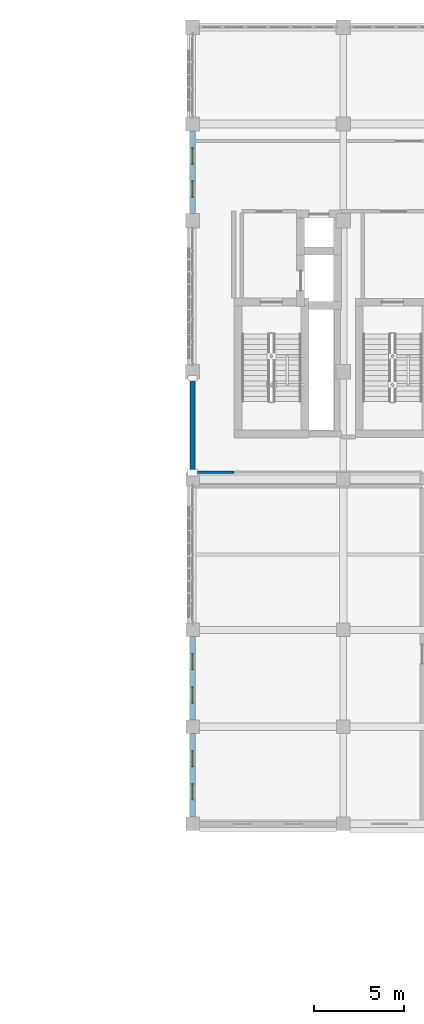
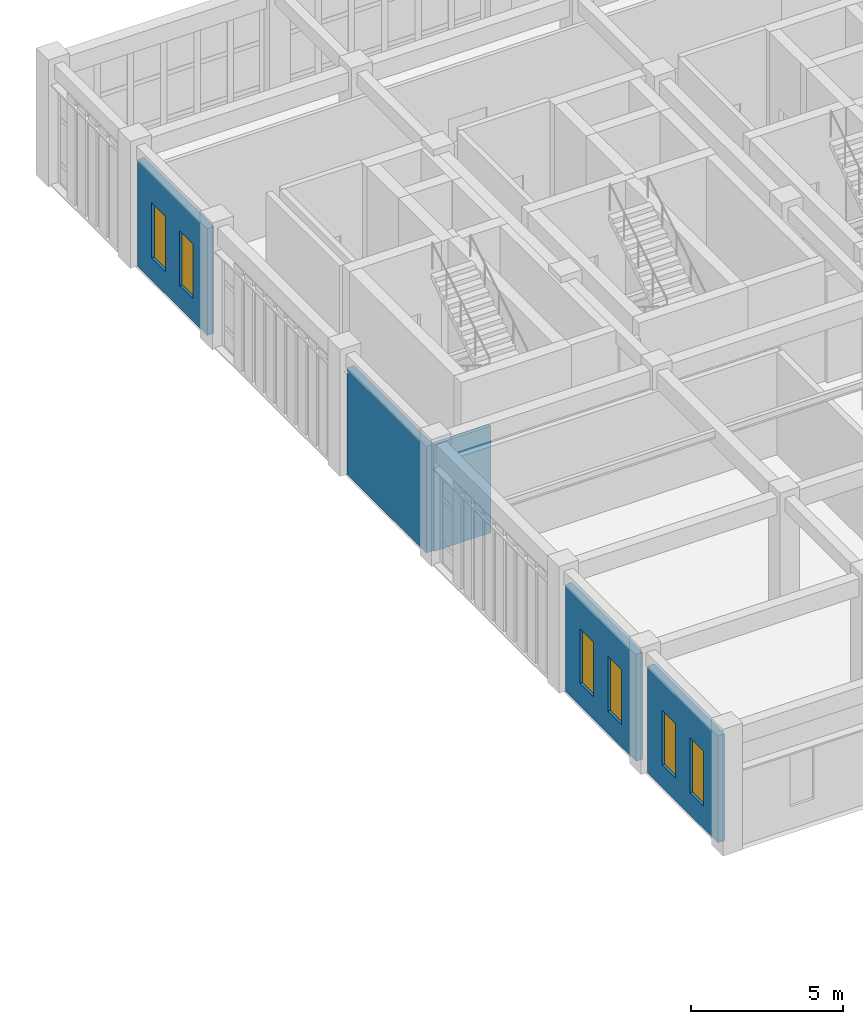
# One storey, part 64 of 77: 6 windows, 5 walls, 6 openings.
"""IFC4 building model written with IfcOpenShell, lengths in metres."""

from ifc_helpers import new_model, si_unit, direction, frame, frame_2d, origin, place, context, subcontext, project, spatial, rectangle, extrude, material, layer, layer_set, type_object, element, fill, save


model = new_model("IFC4")

# Units and contexts
model_context = context("Model", 3, precision=1e-05, world=origin(), true_north=direction((0.0, 1.0)))
body_context = subcontext(model_context, "Body", "Model", "MODEL_VIEW")
ifc_project = project(units=[si_unit("LENGTHUNIT", "METRE"), si_unit("AREAUNIT", "SQUARE_METRE"), si_unit("VOLUMEUNIT", "CUBIC_METRE"), si_unit("PLANEANGLEUNIT", "RADIAN"), si_unit("MASSUNIT", "GRAM", prefix="KILO")], contexts=[model_context])

# Site, building, storey
site_placement = place(None, origin())
site = spatial("IfcSite", under=ifc_project, at=site_placement, CompositionType="ELEMENT")
building_placement = place(site_placement, origin())
building = spatial("IfcBuilding", under=site, at=building_placement, Name="Krzemoval Escarpment Law Courts", CompositionType="ELEMENT")
storey_placement = place(building_placement, frame((0.0, 0.0, 15.300048828125)))
storey = spatial("IfcBuildingStorey", under=building, at=storey_placement, Name="L03", CompositionType="ELEMENT", Elevation=15.300048828125)

# Wall
ifc_material_1 = material(Name="Precast concrete C40/50", Category="concrete")
ifc_layer_1 = layer(ifc_material_1, 0.260009765625)
ifc_layer_set_1 = layer_set([ifc_layer_1], Name="Precast concrete C40/50")
wall_type_1 = type_object("IfcWallType", Name="WL-EXT-260", PredefinedType="SOLIDWALL", material=ifc_layer_set_1)
wall_1_placement = place(storey_placement, frame((126.0, 93.97509765625, 0.0), z_axis=(0.0, 0.0, 1.0), x_axis=(0.0, 1.0, 0.0)))
element("IfcWall", 1, at=wall_1_placement, inside=storey, type_object=wall_type_1, Name="Exterior Wall EW-L03-0378", PredefinedType="SOLIDWALL", context=body_context, shape_type="SweptSolid", body=[
    extrude(rectangle(XDim=5.224853515625, YDim=0.260009765625, at=frame_2d((2.6123046875, 0.0))), origin(), (0.0, 0.0, 1.0), 4.2900390625),
])

# Wall, openings, windows
wall_2_placement = place(storey_placement, frame((126.0, 108.39990234375, 0.0), z_axis=(0.0, 0.0, 1.0), x_axis=(0.0, 1.0, 0.0)))
wall_2 = element("IfcWall", 2, at=wall_2_placement, inside=storey, type_object=wall_type_1, Name="Exterior Wall EW-L03-0379", PredefinedType="SOLIDWALL", context=body_context, shape_type="SweptSolid", body=[
    extrude(rectangle(XDim=4.60009765625, YDim=0.260009765625, at=frame_2d((2.300048828125, 0.0))), origin(), (0.0, 0.0, 1.0), 4.2900390625),
])
opening_1_placement = place(wall_2_placement, frame((0.93310546875, 0.0, 0.89990234375)))
opening_1 = element("IfcOpeningElement", 3, at=opening_1_placement, cuts=wall_2, Name="Opening WN-L03-0436", PredefinedType="OPENING", context=body_context, shape_type="SweptSolid", body=[
    extrude(rectangle(XDim=0.89990234375, YDim=2.199951171875, at=frame_2d((0.449951171875, 1.10009765625))), frame((0.0, 0.145, 0.0), z_axis=(0.0, -1.0, 0.0), x_axis=(1.0, 0.0, 0.0)), (0.0, 0.0, 1.0), 0.29001),
])
opening_2_placement = place(wall_2_placement, frame((2.76708984375, 0.0, 0.89990234375)))
opening_2 = element("IfcOpeningElement", 4, at=opening_2_placement, cuts=wall_2, Name="Opening WN-L03-0437", PredefinedType="OPENING", context=body_context, shape_type="SweptSolid", body=[
    extrude(rectangle(XDim=0.89990234375, YDim=2.199951171875, at=frame_2d((0.449951171875, 1.10009765625))), frame((0.0, 0.145, 0.0), z_axis=(0.0, -1.0, 0.0), x_axis=(1.0, 0.0, 0.0)), (0.0, 0.0, 1.0), 0.29001),
])
ifc_material_2 = material(Name="Thermally Broken Aluminium Frame with Triple Low-E Acoustic Glass", Category="aluminium")
window_type = type_object("IfcWindowType", Name="WN-900x2200", PartitioningType="SINGLE_PANEL", PredefinedType="WINDOW", material=ifc_material_2)
window_1_placement = place(opening_1_placement, origin())
window_1 = element("IfcWindow", 5, at=window_1_placement, inside=storey, type_object=window_type, Name="Facade Window WN-L03-0436", OverallHeight=2.199951171875, OverallWidth=0.89990234375, PartitioningType="SINGLE_PANEL", PredefinedType="WINDOW", context=body_context, shape_type="SweptSolid", body=[
    extrude(rectangle(XDim=0.89990234375, YDim=2.199951171875, at=frame_2d((0.449951171875, 1.10009765625))), frame((0.0, 0.030029296875, 0.0), z_axis=(0.0, -1.0, 0.0), x_axis=(1.0, 0.0, 0.0)), (0.0, 0.0, 1.0), 0.06005859375),
])
fill(opening_1, window_1)
window_2_placement = place(opening_2_placement, origin())
window_2 = element("IfcWindow", 6, at=window_2_placement, inside=storey, type_object=window_type, Name="Facade Window WN-L03-0437", OverallHeight=2.199951171875, OverallWidth=0.89990234375, PartitioningType="SINGLE_PANEL", PredefinedType="WINDOW", context=body_context, shape_type="SweptSolid", body=[
    extrude(rectangle(XDim=0.89990234375, YDim=2.199951171875, at=frame_2d((0.449951171875, 1.10009765625))), frame((0.0, 0.030029296875, 0.0), z_axis=(0.0, -1.0, 0.0), x_axis=(1.0, 0.0, 0.0)), (0.0, 0.0, 1.0), 0.06005859375),
])
fill(opening_2, window_2)

wall_3_placement = place(storey_placement, frame((126.0, 74.77490234375, 0.0), z_axis=(0.0, 0.0, 1.0), x_axis=(0.0, 1.0, 0.0)))
wall_3 = element("IfcWall", 7, at=wall_3_placement, inside=storey, type_object=wall_type_1, Name="Exterior Wall EW-L03-0393", PredefinedType="SOLIDWALL", context=body_context, shape_type="SweptSolid", body=[
    extrude(rectangle(XDim=4.650146484375, YDim=0.260009765625, at=frame_2d((2.3251953125, 0.0))), origin(), (0.0, 0.0, 1.0), 4.2900390625),
])
opening_3_placement = place(wall_3_placement, frame((0.949951171875, 0.0, 0.89990234375)))
opening_3 = element("IfcOpeningElement", 8, at=opening_3_placement, cuts=wall_3, Name="Opening WN-L03-0463", PredefinedType="OPENING", context=body_context, shape_type="SweptSolid", body=[
    extrude(rectangle(XDim=0.89990234375, YDim=2.199951171875, at=frame_2d((0.449951171875, 1.10009765625))), frame((0.0, 0.145, 0.0), z_axis=(0.0, -1.0, 0.0), x_axis=(1.0, 0.0, 0.0)), (0.0, 0.0, 1.0), 0.29001),
])
opening_4_placement = place(wall_3_placement, frame((2.800048828125, 0.0, 0.89990234375)))
opening_4 = element("IfcOpeningElement", 9, at=opening_4_placement, cuts=wall_3, Name="Opening WN-L03-0464", PredefinedType="OPENING", context=body_context, shape_type="SweptSolid", body=[
    extrude(rectangle(XDim=0.89990234375, YDim=2.199951171875, at=frame_2d((0.449951171875, 1.10009765625))), frame((0.0, 0.145, 0.0), z_axis=(0.0, -1.0, 0.0), x_axis=(1.0, 0.0, 0.0)), (0.0, 0.0, 1.0), 0.29001),
])
window_3_placement = place(opening_3_placement, origin())
window_3 = element("IfcWindow", 10, at=window_3_placement, inside=storey, type_object=window_type, Name="Facade Window WN-L03-0463", OverallHeight=2.199951171875, OverallWidth=0.89990234375, PartitioningType="SINGLE_PANEL", PredefinedType="WINDOW", context=body_context, shape_type="SweptSolid", body=[
    extrude(rectangle(XDim=0.89990234375, YDim=2.199951171875, at=frame_2d((0.449951171875, 1.10009765625))), frame((0.0, 0.030029296875, 0.0), z_axis=(0.0, -1.0, 0.0), x_axis=(1.0, 0.0, 0.0)), (0.0, 0.0, 1.0), 0.06005859375),
])
fill(opening_3, window_3)
window_4_placement = place(opening_4_placement, origin())
window_4 = element("IfcWindow", 11, at=window_4_placement, inside=storey, type_object=window_type, Name="Facade Window WN-L03-0464", OverallHeight=2.199951171875, OverallWidth=0.89990234375, PartitioningType="SINGLE_PANEL", PredefinedType="WINDOW", context=body_context, shape_type="SweptSolid", body=[
    extrude(rectangle(XDim=0.89990234375, YDim=2.199951171875, at=frame_2d((0.449951171875, 1.10009765625))), frame((0.0, 0.030029296875, 0.0), z_axis=(0.0, -1.0, 0.0), x_axis=(1.0, 0.0, 0.0)), (0.0, 0.0, 1.0), 0.06005859375),
])
fill(opening_4, window_4)

wall_4_placement = place(storey_placement, frame((126.0, 80.175048828125, 0.0), z_axis=(0.0, 0.0, 1.0), x_axis=(0.0, 1.0, 0.0)))
wall_4 = element("IfcWall", 12, at=wall_4_placement, inside=storey, type_object=wall_type_1, Name="Exterior Wall EW-L03-0394", PredefinedType="SOLIDWALL", context=body_context, shape_type="SweptSolid", body=[
    extrude(rectangle(XDim=4.64990234375, YDim=0.260009765625, at=frame_2d((2.324951171875, 0.0))), origin(), (0.0, 0.0, 1.0), 4.2900390625),
])
opening_5_placement = place(wall_4_placement, frame((0.949951171875, 0.0, 0.89990234375)))
opening_5 = element("IfcOpeningElement", 13, at=opening_5_placement, cuts=wall_4, Name="Opening WN-L03-0465", PredefinedType="OPENING", context=body_context, shape_type="SweptSolid", body=[
    extrude(rectangle(XDim=0.89990234375, YDim=2.199951171875, at=frame_2d((0.449951171875, 1.10009765625))), frame((0.0, 0.145, 0.0), z_axis=(0.0, -1.0, 0.0), x_axis=(1.0, 0.0, 0.0)), (0.0, 0.0, 1.0), 0.29001),
])
opening_6_placement = place(wall_4_placement, frame((2.800048828125, 0.0, 0.89990234375)))
opening_6 = element("IfcOpeningElement", 14, at=opening_6_placement, cuts=wall_4, Name="Opening WN-L03-0466", PredefinedType="OPENING", context=body_context, shape_type="SweptSolid", body=[
    extrude(rectangle(XDim=0.89990234375, YDim=2.199951171875, at=frame_2d((0.449951171875, 1.10009765625))), frame((0.0, 0.145, 0.0), z_axis=(0.0, -1.0, 0.0), x_axis=(1.0, 0.0, 0.0)), (0.0, 0.0, 1.0), 0.29001),
])
window_5_placement = place(opening_5_placement, origin())
window_5 = element("IfcWindow", 15, at=window_5_placement, inside=storey, type_object=window_type, Name="Facade Window WN-L03-0465", OverallHeight=2.199951171875, OverallWidth=0.89990234375, PartitioningType="SINGLE_PANEL", PredefinedType="WINDOW", context=body_context, shape_type="SweptSolid", body=[
    extrude(rectangle(XDim=0.89990234375, YDim=2.199951171875, at=frame_2d((0.449951171875, 1.10009765625))), frame((0.0, 0.030029296875, 0.0), z_axis=(0.0, -1.0, 0.0), x_axis=(1.0, 0.0, 0.0)), (0.0, 0.0, 1.0), 0.06005859375),
])
fill(opening_5, window_5)
window_6_placement = place(opening_6_placement, origin())
window_6 = element("IfcWindow", 16, at=window_6_placement, inside=storey, type_object=window_type, Name="Facade Window WN-L03-0466", OverallHeight=2.199951171875, OverallWidth=0.89990234375, PartitioningType="SINGLE_PANEL", PredefinedType="WINDOW", context=body_context, shape_type="SweptSolid", body=[
    extrude(rectangle(XDim=0.89990234375, YDim=2.199951171875, at=frame_2d((0.449951171875, 1.10009765625))), frame((0.0, 0.030029296875, 0.0), z_axis=(0.0, -1.0, 0.0), x_axis=(1.0, 0.0, 0.0)), (0.0, 0.0, 1.0), 0.06005859375),
])
fill(opening_6, window_6)

# Wall
ifc_material_3 = material(Name="Sanitary Moisture-Resistant Partition", Category="gypsum")
ifc_layer_2 = layer(ifc_material_3, 0.139892578125)
ifc_layer_set_2 = layer_set([ifc_layer_2], Name="Sanitary Moisture-Resistant Partition")
wall_type_2 = type_object("IfcWallType", Name="WL-PRT-140", PredefinedType="PARTITIONING", material=ifc_layer_set_2)
wall_5_placement = place(storey_placement, frame((126.132080078125, 94.0, 0.0), z_axis=(0.0, 0.0, 1.0), x_axis=(1.0, 0.0, 0.0)))
element("IfcWall", 17, at=wall_5_placement, inside=storey, type_object=wall_type_2, Name="Interior Partition PW-L03-0519", PredefinedType="PARTITIONING", context=body_context, shape_type="SweptSolid", body=[
    extrude(rectangle(XDim=2.16796875, YDim=0.139892578125, at=frame_2d((1.083984375, 0.0))), origin(), (0.0, 0.0, 1.0), 4.2900390625),
])

save(model, "model.ifc")
